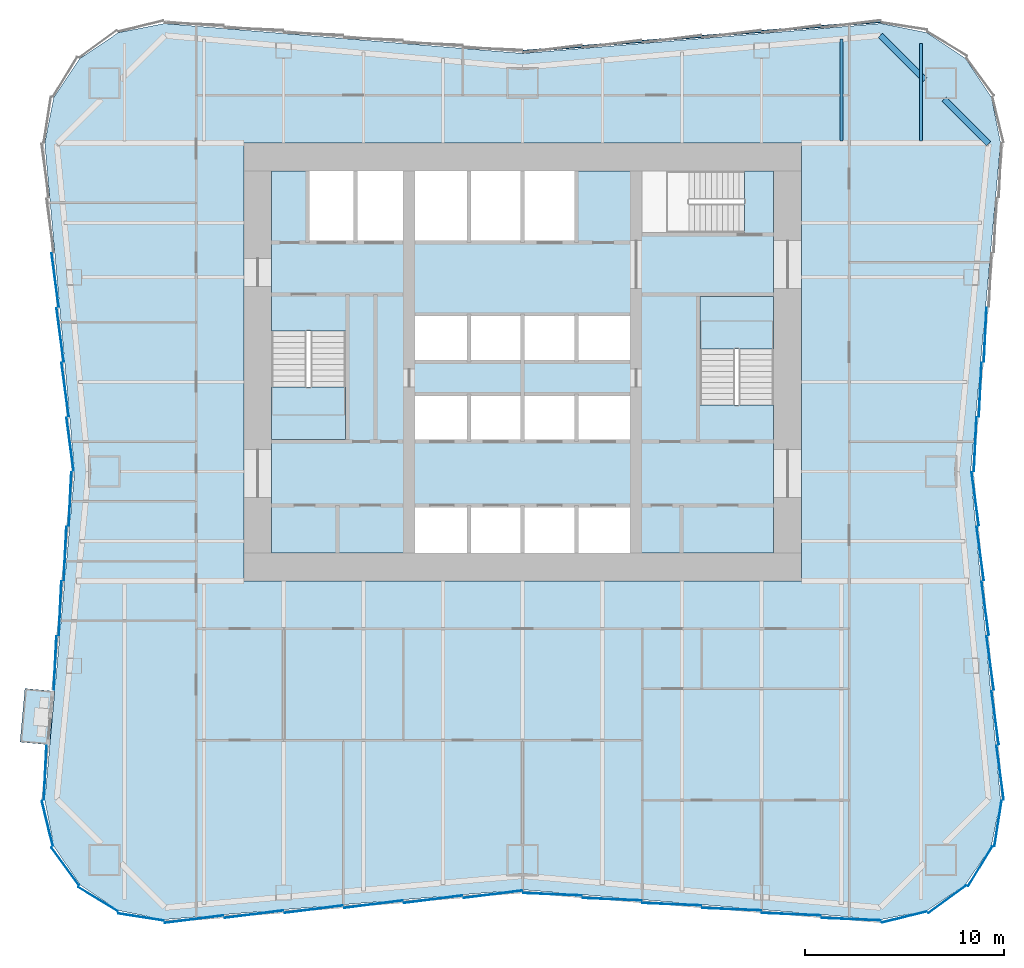
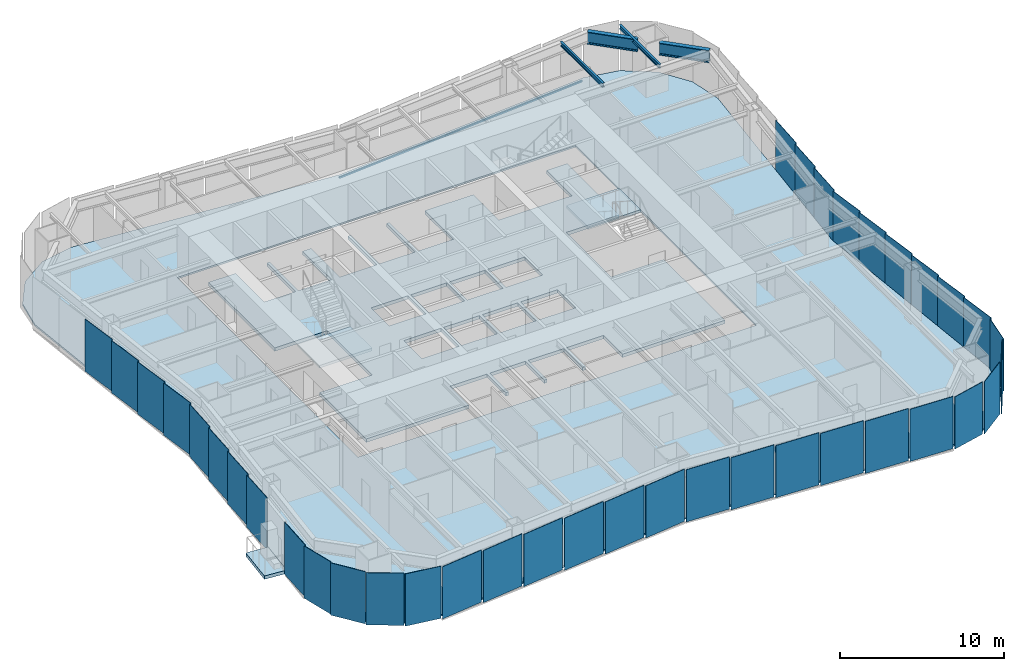
# One storey, part 2 of 8: 38 plates, 5 slabs, 4 beams, 1 member, 8 elements without a shape of their own.
"""IFC4 building model written with IfcOpenShell, lengths in metres."""

from ifc_helpers import new_model, si_unit, direction, frame, origin, origin_2d, place, context, subcontext, project, spatial, polyline, rectangle, i_section, outline, extrude, material, layer, layer_set, material_profile, profile_set, type_object, element, aggregate, save


model = new_model("IFC4")

# Units and contexts
model_context = context("Model", 3, precision=1e-05, world=origin(), true_north=direction((0.0, 1.0)))
body_context = subcontext(model_context, "Body", "Model", "MODEL_VIEW")
ifc_project = project(units=[si_unit("LENGTHUNIT", "METRE"), si_unit("AREAUNIT", "SQUARE_METRE"), si_unit("VOLUMEUNIT", "CUBIC_METRE"), si_unit("PLANEANGLEUNIT", "RADIAN"), si_unit("MASSUNIT", "GRAM", prefix="KILO")], contexts=[model_context])

# Site, building, storey
site_placement = place(None, origin())
site = spatial("IfcSite", under=ifc_project, at=site_placement, CompositionType="ELEMENT")
building_placement = place(site_placement, origin())
building = spatial("IfcBuilding", under=site, at=building_placement, Name="Verdant Reach Tower", CompositionType="ELEMENT")
storey_placement = place(building_placement, frame((0.0, 0.0, 22.0)))
storey = spatial("IfcBuildingStorey", under=building, at=storey_placement, Name="L04", CompositionType="ELEMENT", Elevation=22.0)

# Curtain wall, member
ifc_material_1 = material(Name="Anodised aluminium", Category="aluminium")
curtain_wall_type = type_object("IfcCurtainWallType", Name="EN-CW SYSTEM Z0", PredefinedType="NOTDEFINED", material=ifc_material_1)
curtain_wall_1_placement = place(storey_placement, origin())
curtain_wall_1 = element("IfcCurtainWall", 1, at=curtain_wall_1_placement, inside=storey, type_object=curtain_wall_type, Name="Curtain wall north, L04", PredefinedType="NOTDEFINED")
ifc_material_profile_1 = material_profile(ifc_material_1, rectangle(XDim=0.10009765625, YDim=0.1201171875, at=origin_2d()), Name="Transom 120x100")
ifc_profile_set_1 = profile_set([ifc_material_profile_1], Name="Anodised aluminium")
member_type = type_object("IfcMemberType", Name="EN-TRANSOM Z0", PredefinedType="USERDEFINED", material=ifc_profile_set_1)
member_placement = place(storey_placement, frame((17.975830078125, 45.097412109375, -0.2900390625), z_axis=(-0.996548656072, -0.083010698588, 0.0), x_axis=(0.083010698588, -0.996548656072, 0.0)))
member = element("IfcMember", 2, at=member_placement, type_object=member_type, Name="Transom north face part 1 1.1, L04", ObjectType="TRANSOM", PredefinedType="USERDEFINED", context=body_context, shape_type="SweptSolid", body=[
    extrude(rectangle(XDim=0.10009765625, YDim=0.1201171875, at=origin_2d()), origin(), (0.0, 0.0, 1.0), 18.00830078125),
])
aggregate(curtain_wall_1, [member])

# Beams
ifc_material_2 = material(Name="Steel S355", Category="steel")
ifc_material_profile_2 = material_profile(ifc_material_2, i_section(OverallWidth=0.14990234375, OverallDepth=0.300048828125, WebThickness=0.007080078125, FlangeThickness=0.0107421875, FilletRadius=0.014892578125, at=origin_2d()), Name="IPE 300")
ifc_profile_set_2 = profile_set([ifc_material_profile_2], Name="Steel S355")
beam_type_1 = type_object("IfcBeamType", Name="ST-JOIST-IPE300", PredefinedType="JOIST", material=ifc_profile_set_2)
beam_1_placement = place(storey_placement, frame((16.0, 39.10009765625, 3.719970703125), z_axis=(0.0, 1.0, 0.0), x_axis=(-1.0, 0.0, 0.0)))
element("IfcBeam", 3, at=beam_1_placement, inside=storey, type_object=beam_type_1, Name="Floor joist, L04", PredefinedType="JOIST", context=body_context, shape_type="SweptSolid", body=[
    extrude(i_section(OverallWidth=0.14990234375, OverallDepth=0.300048828125, WebThickness=0.007080078125, FlangeThickness=0.0107421875, FilletRadius=0.014892578125, at=origin_2d()), origin(), (0.0, 0.0, 1.0), 5.131103515625),
])
beam_2_placement = place(storey_placement, frame((20.0, 39.10009765625, 3.719970703125), z_axis=(0.0, 1.0, 0.0), x_axis=(-1.0, 0.0, 0.0)))
element("IfcBeam", 4, at=beam_2_placement, inside=storey, type_object=beam_type_1, Name="Floor joist, L04", PredefinedType="JOIST", context=body_context, shape_type="SweptSolid", body=[
    extrude(i_section(OverallWidth=0.14990234375, OverallDepth=0.300048828125, WebThickness=0.007080078125, FlangeThickness=0.0107421875, FilletRadius=0.014892578125, at=origin_2d()), origin(), (0.0, 0.0, 1.0), 4.890380859375),
])
ifc_material_profile_3 = material_profile(ifc_material_2, i_section(OverallWidth=0.302001953125, OverallDepth=0.909912109375, WebThickness=0.02099609375, FlangeThickness=0.0400390625, FilletRadius=0.030029296875, at=origin_2d()), Name="HEM 900")
ifc_profile_set_3 = profile_set([ifc_material_profile_3], Name="Steel S355")
beam_type_2 = type_object("IfcBeamType", Name="ST-SPANDREL-HEM900", PredefinedType="SPANDREL", material=ifc_profile_set_3)
beam_3_placement = place(storey_placement, frame((17.9658203125, 44.39501953125, 3.4150390625), z_axis=(0.707222697162, -0.706990846206, 0.0), x_axis=(0.706990846206, 0.707222697162, 0.0)))
element("IfcBeam", 5, at=beam_3_placement, inside=storey, type_object=beam_type_2, Name="Edge beam, L04", PredefinedType="SPANDREL", context=body_context, shape_type="SweptSolid", body=[
    extrude(i_section(OverallWidth=0.302001953125, OverallDepth=0.909912109375, WebThickness=0.02099609375, FlangeThickness=0.0400390625, FilletRadius=0.030029296875, at=origin_2d()), origin(), (0.0, 0.0, 1.0), 3.158935546875),
])
beam_4_placement = place(storey_placement, frame((21.161865234375, 41.199951171875, 3.4150390625), z_axis=(0.70722277322, -0.706990770123, 0.0), x_axis=(0.706990770123, 0.70722277322, 0.0)))
element("IfcBeam", 6, at=beam_4_placement, inside=storey, type_object=beam_type_2, Name="Edge beam, L04", PredefinedType="SPANDREL", context=body_context, shape_type="SweptSolid", body=[
    extrude(i_section(OverallWidth=0.302001953125, OverallDepth=0.909912109375, WebThickness=0.02099609375, FlangeThickness=0.0400390625, FilletRadius=0.030029296875, at=origin_2d()), origin(), (0.0, 0.0, 1.0), 3.156982421875),
])

# Stair, slab
ifc_material_3 = material(Name="Concrete C40/50", Category="concrete")
stair_type = type_object("IfcStairType", Name="CO-STAIR", PredefinedType="HALF_TURN_STAIR", material=ifc_material_3)
stair_1_placement = place(storey_placement, origin())
stair_1 = element("IfcStair", 7, at=stair_1_placement, inside=storey, type_object=stair_type, Name="L04 Exit stair 1", PredefinedType="HALF_TURN_STAIR")
ifc_layer_1 = layer(ifc_material_3, 0.199951171875)
ifc_layer_set_1 = layer_set([ifc_layer_1], Name="CO-STAIR-LANDING")
slab_type_1 = type_object("IfcSlabType", Name="CO-STAIR-LANDING", PredefinedType="LANDING", material=ifc_layer_set_1)
slab_1_placement = place(storey_placement, frame((0.0, 0.0, 1.800048828125)))
slab_1 = element("IfcSlab", 8, at=slab_1_placement, type_object=slab_type_1, Name="ST-1 landing 1", PredefinedType="LANDING", context=body_context, shape_type="SweptSolid", body=[
    extrude(outline(polyline([(-12.60009765625, 26.75), (-12.60009765625, 24.10009765625), (-8.89990234375, 24.10009765625), (-8.89990234375, 26.75), (-12.60009765625, 26.75)])), origin(), (0.0, 0.0, 1.0), 0.199951171875),
])
aggregate(stair_1, [slab_1])

stair_2_placement = place(storey_placement, origin())
stair_2 = element("IfcStair", 9, at=stair_2_placement, inside=storey, type_object=stair_type, Name="L04 Exit stair 2", PredefinedType="HALF_TURN_STAIR")
slab_2_placement = place(storey_placement, frame((0.0, 0.0, 1.800048828125)))
slab_2 = element("IfcSlab", 10, at=slab_2_placement, type_object=slab_type_1, Name="ST-2 landing 1", PredefinedType="LANDING", context=body_context, shape_type="SweptSolid", body=[
    extrude(outline(polyline([(12.60009765625, 28.64990234375), (12.60009765625, 31.300048828125), (8.89990234375, 31.300048828125), (8.89990234375, 28.64990234375), (12.60009765625, 28.64990234375)])), origin(), (0.0, 0.0, 1.0), 0.199951171875),
])
aggregate(stair_2, [slab_2])

# Slab
ifc_material_4 = material(Name="Concrete C35/45", Category="concrete")
ifc_layer_2 = layer(ifc_material_4, 0.25)
ifc_layer_set_2 = layer_set([ifc_layer_2], Name="EN-BALCONY SLAB")
slab_type_2 = type_object("IfcSlabType", Name="EN-BALCONY SLAB", PredefinedType="FLOOR", material=ifc_layer_set_2)
slab_3_placement = place(storey_placement, frame((0.0, 0.0, -0.25)))
element("IfcSlab", 11, at=slab_3_placement, inside=storey, type_object=slab_type_2, Name="Balcony slab 1, L04", PredefinedType="FLOOR", context=body_context, shape_type="SweptSolid", body=[
    extrude(outline(polyline([(-23.502685546875, 11.47021484375), (-23.747314453125, 8.77978515625), (-25.2412109375, 8.915771484375), (-24.99658203125, 11.60595703125), (-23.502685546875, 11.47021484375)])), origin(), (0.0, 0.0, 1.0), 0.25),
])

# Curtain wall, plates
curtain_wall_2_placement = place(storey_placement, origin())
curtain_wall_2 = element("IfcCurtainWall", 12, at=curtain_wall_2_placement, inside=storey, type_object=curtain_wall_type, Name="Curtain wall south-east corner, L04", PredefinedType="NOTDEFINED")
ifc_material_5 = material(Name="Tinted glass with champagne spandrel", Category="glass")
ifc_layer_3 = layer(ifc_material_5, 0.031982421875)
ifc_layer_set_3 = layer_set([ifc_layer_3], Name="EN-PANEL CHAMPAGNE")
plate_type_1 = type_object("IfcPlateType", Name="EN-PANEL CHAMPAGNE", PredefinedType="CURTAIN_PANEL", material=ifc_layer_set_3)
plate_1_placement = place(storey_placement, frame((22.974609375, 2.67626953125, -0.22998046875), z_axis=(0.0, 0.0, 1.0), x_axis=(0.520291583159, 0.853988681713, 0.0)))
plate_1 = element("IfcPlate", 13, at=plate_1_placement, type_object=plate_type_1, Name="Glass panel south-east corner 3.1, L04", PredefinedType="CURTAIN_PANEL", context=body_context, shape_type="SweptSolid", body=[
    extrude(rectangle(XDim=2.32421875, YDim=0.031982421875, at=origin_2d()), origin(), (0.0, 0.0, 1.0), 3.8798828125),
])
plate_2_placement = place(storey_placement, frame((23.86767578125, 4.830078125, -0.22998046875), z_axis=(0.0, 0.0, 1.0), x_axis=(0.154210737778, 0.988037979206, 0.0)))
plate_2 = element("IfcPlate", 14, at=plate_2_placement, type_object=plate_type_1, Name="Glass panel south-east corner 4.1, L04", PredefinedType="CURTAIN_PANEL", context=body_context, shape_type="SweptSolid", body=[
    extrude(rectangle(XDim=2.31884765625, YDim=0.031982421875, at=origin_2d()), origin(), (0.0, 0.0, 1.0), 3.8798828125),
])

curtain_wall_3_placement = place(storey_placement, origin())
curtain_wall_3 = element("IfcCurtainWall", 15, at=curtain_wall_3_placement, inside=storey, type_object=curtain_wall_type, Name="Curtain wall east, L04", PredefinedType="NOTDEFINED")
plate_3_placement = place(storey_placement, frame((23.974609375, 7.376953125, -0.22998046875), z_axis=(0.0, 0.0, 1.0), x_axis=(-0.131792939527, 0.991277267514, 0.0)))
plate_3 = element("IfcPlate", 16, at=plate_3_placement, type_object=plate_type_1, Name="Glass panel east face part 1 1.1, L04", PredefinedType="CURTAIN_PANEL", context=body_context, shape_type="SweptSolid", body=[
    extrude(rectangle(XDim=2.7197265625, YDim=0.031982421875, at=origin_2d()), origin(), (0.0, 0.0, 1.0), 3.8798828125),
])
plate_4_placement = place(storey_placement, frame((23.724609375, 10.134033203125, -0.22998046875), z_axis=(0.0, 0.0, 1.0), x_axis=(-0.132160009881, 0.99122839537, 0.0)))
plate_4 = element("IfcPlate", 17, at=plate_4_placement, type_object=plate_type_1, Name="Glass panel east face part 1 2.1, L04", PredefinedType="CURTAIN_PANEL", context=body_context, shape_type="SweptSolid", body=[
    extrude(rectangle(XDim=2.705322265625, YDim=0.031982421875, at=origin_2d()), origin(), (0.0, 0.0, 1.0), 3.8798828125),
])
plate_5_placement = place(storey_placement, frame((23.474609375, 12.884033203125, -0.22998046875), z_axis=(0.0, 0.0, 1.0), x_axis=(-0.132160009881, 0.99122839537, 0.0)))
plate_5 = element("IfcPlate", 18, at=plate_5_placement, type_object=plate_type_1, Name="Glass panel east face part 1 3.1, L04", PredefinedType="CURTAIN_PANEL", context=body_context, shape_type="SweptSolid", body=[
    extrude(rectangle(XDim=2.705322265625, YDim=0.031982421875, at=origin_2d()), origin(), (0.0, 0.0, 1.0), 3.8798828125),
])
plate_6_placement = place(storey_placement, frame((23.224609375, 29.365966796875, -0.22998046875), z_axis=(0.0, 0.0, 1.0), x_axis=(0.04875265175, 0.998810882473, 0.0)))
plate_6 = element("IfcPlate", 19, at=plate_6_placement, type_object=plate_type_1, Name="Glass panel east face part 2 3.1, L04", PredefinedType="CURTAIN_PANEL", context=body_context, shape_type="SweptSolid", body=[
    extrude(rectangle(XDim=2.705322265625, YDim=0.031982421875, at=origin_2d()), origin(), (0.0, 0.0, 1.0), 3.8798828125),
])

curtain_wall_4_placement = place(storey_placement, origin())
curtain_wall_4 = element("IfcCurtainWall", 20, at=curtain_wall_4_placement, inside=storey, type_object=curtain_wall_type, Name="Curtain wall west, L04", PredefinedType="NOTDEFINED")
plate_7_placement = place(storey_placement, frame((-22.974609375, 26.615966796875, -0.22998046875), z_axis=(0.0, 0.0, 1.0), x_axis=(0.132160009881, -0.99122839537, 0.0)))
plate_7 = element("IfcPlate", 21, at=plate_7_placement, type_object=plate_type_1, Name="Glass panel west face part 1 5.1, L04", PredefinedType="CURTAIN_PANEL", context=body_context, shape_type="SweptSolid", body=[
    extrude(rectangle(XDim=2.705322265625, YDim=0.031982421875, at=origin_2d()), origin(), (0.0, 0.0, 1.0), 3.8798828125),
])
plate_8_placement = place(storey_placement, frame((-22.724853515625, 23.870361328125, -0.22998046875), z_axis=(0.0, 0.0, 1.0), x_axis=(0.132307913434, -0.991208664229, 0.0)))
plate_8 = element("IfcPlate", 22, at=plate_8_placement, type_object=plate_type_1, Name="Glass panel west face part 1 6.1, L04", PredefinedType="CURTAIN_PANEL", context=body_context, shape_type="SweptSolid", body=[
    extrude(rectangle(XDim=2.6962890625, YDim=0.031982421875, at=origin_2d()), origin(), (0.0, 0.0, 1.0), 3.8798828125),
])
plate_9_placement = place(storey_placement, frame((-22.724853515625, 21.129638671875, -0.22998046875), z_axis=(0.0, 0.0, 1.0), x_axis=(-0.048901687644, -0.998803596782, 0.0)))
plate_9 = element("IfcPlate", 23, at=plate_9_placement, type_object=plate_type_1, Name="Glass panel west face part 2 1.1, L04", PredefinedType="CURTAIN_PANEL", context=body_context, shape_type="SweptSolid", body=[
    extrude(rectangle(XDim=2.6962890625, YDim=0.031982421875, at=origin_2d()), origin(), (0.0, 0.0, 1.0), 3.8798828125),
])

curtain_wall_5_placement = place(storey_placement, origin())
curtain_wall_5 = element("IfcCurtainWall", 24, at=curtain_wall_5_placement, inside=storey, type_object=curtain_wall_type, Name="Curtain wall south, L04", PredefinedType="NOTDEFINED")
plate_10_placement = place(storey_placement, frame((-10.49169921875, 0.525390625, -0.22998046875), z_axis=(0.0, 0.0, 1.0), x_axis=(0.992194034542, 0.124703639961, 0.0)))
plate_10 = element("IfcPlate", 25, at=plate_10_placement, type_object=plate_type_1, Name="Glass panel south face part 1 3.1, L04", PredefinedType="CURTAIN_PANEL", context=body_context, shape_type="SweptSolid", body=[
    extrude(rectangle(XDim=2.954345703125, YDim=0.031982421875, at=origin_2d()), origin(), (0.0, 0.0, 1.0), 3.8798828125),
])
plate_11_placement = place(storey_placement, frame((-7.49169921875, 0.775390625, -0.22998046875), z_axis=(0.0, 0.0, 1.0), x_axis=(0.992194034542, 0.124703639961, 0.0)))
plate_11 = element("IfcPlate", 26, at=plate_11_placement, type_object=plate_type_1, Name="Glass panel south face part 1 4.1, L04", PredefinedType="CURTAIN_PANEL", context=body_context, shape_type="SweptSolid", body=[
    extrude(rectangle(XDim=2.954345703125, YDim=0.031982421875, at=origin_2d()), origin(), (0.0, 0.0, 1.0), 3.8798828125),
])
plate_12_placement = place(storey_placement, frame((10.49169921875, 0.525390625, -0.22998046875), z_axis=(0.0, 0.0, 1.0), x_axis=(0.999149202059, -0.041241629766, 0.0)))
plate_12 = element("IfcPlate", 27, at=plate_12_placement, type_object=plate_type_1, Name="Glass panel south face part 2 4.1, L04", PredefinedType="CURTAIN_PANEL", context=body_context, shape_type="SweptSolid", body=[
    extrude(rectangle(XDim=2.954345703125, YDim=0.031982421875, at=origin_2d()), origin(), (0.0, 0.0, 1.0), 3.8798828125),
])
plate_13_placement = place(storey_placement, frame((13.49169921875, 0.275390625, -0.22998046875), z_axis=(0.0, 0.0, 1.0), x_axis=(0.999149202059, -0.041241629766, 0.0)))
plate_13 = element("IfcPlate", 28, at=plate_13_placement, type_object=plate_type_1, Name="Glass panel south face part 2 5.1, L04", PredefinedType="CURTAIN_PANEL", context=body_context, shape_type="SweptSolid", body=[
    extrude(rectangle(XDim=2.954345703125, YDim=0.031982421875, at=origin_2d()), origin(), (0.0, 0.0, 1.0), 3.8798828125),
])
plate_14_placement = place(storey_placement, frame((16.498779296875, 0.025146484375, -0.22998046875), z_axis=(0.0, 0.0, 1.0), x_axis=(0.999162442933, -0.040919587398, 0.0)))
plate_14 = element("IfcPlate", 29, at=plate_14_placement, type_object=plate_type_1, Name="Glass panel south face part 2 6.1, L04", PredefinedType="CURTAIN_PANEL", context=body_context, shape_type="SweptSolid", body=[
    extrude(rectangle(XDim=2.96826171875, YDim=0.031982421875, at=origin_2d()), origin(), (0.0, 0.0, 1.0), 3.8798828125),
])

# Plate
ifc_material_6 = material(Name="Tinted glass with copper spandrel", Category="glass")
ifc_layer_4 = layer(ifc_material_6, 0.031982421875)
ifc_layer_set_4 = layer_set([ifc_layer_4], Name="EN-PANEL COPPER")
plate_type_2 = type_object("IfcPlateType", Name="EN-PANEL COPPER", PredefinedType="CURTAIN_PANEL", material=ifc_layer_set_4)
plate_15_placement = place(storey_placement, frame((23.224609375, 15.634033203125, -0.22998046875), z_axis=(0.0, 0.0, 1.0), x_axis=(-0.132160009881, 0.99122839537, 0.0)))
plate_15 = element("IfcPlate", 30, at=plate_15_placement, type_object=plate_type_2, Name="Glass panel east face part 1 4.1, L04", PredefinedType="CURTAIN_PANEL", context=body_context, shape_type="SweptSolid", body=[
    extrude(rectangle(XDim=2.705322265625, YDim=0.031982421875, at=origin_2d()), origin(), (0.0, 0.0, 1.0), 3.8798828125),
])

plate_16_placement = place(storey_placement, frame((22.974609375, 18.384033203125, -0.22998046875), z_axis=(0.0, 0.0, 1.0), x_axis=(-0.132160009881, 0.99122839537, 0.0)))
plate_16 = element("IfcPlate", 31, at=plate_16_placement, type_object=plate_type_2, Name="Glass panel east face part 1 5.1, L04", PredefinedType="CURTAIN_PANEL", context=body_context, shape_type="SweptSolid", body=[
    extrude(rectangle(XDim=2.705322265625, YDim=0.031982421875, at=origin_2d()), origin(), (0.0, 0.0, 1.0), 3.8798828125),
])

plate_17_placement = place(storey_placement, frame((-22.974609375, 18.384033203125, -0.22998046875), z_axis=(0.0, 0.0, 1.0), x_axis=(-0.04875265175, -0.998810882473, 0.0)))
plate_17 = element("IfcPlate", 32, at=plate_17_placement, type_object=plate_type_2, Name="Glass panel west face part 2 2.1, L04", PredefinedType="CURTAIN_PANEL", context=body_context, shape_type="SweptSolid", body=[
    extrude(rectangle(XDim=2.705322265625, YDim=0.031982421875, at=origin_2d()), origin(), (0.0, 0.0, 1.0), 3.8798828125),
])

plate_18_placement = place(storey_placement, frame((-23.224609375, 15.634033203125, -0.22998046875), z_axis=(0.0, 0.0, 1.0), x_axis=(-0.04875265175, -0.998810882473, 0.0)))
plate_18 = element("IfcPlate", 33, at=plate_18_placement, type_object=plate_type_2, Name="Glass panel west face part 2 3.1, L04", PredefinedType="CURTAIN_PANEL", context=body_context, shape_type="SweptSolid", body=[
    extrude(rectangle(XDim=2.705322265625, YDim=0.031982421875, at=origin_2d()), origin(), (0.0, 0.0, 1.0), 3.8798828125),
])

# Curtain wall, plates
curtain_wall_6_placement = place(storey_placement, origin())
curtain_wall_6 = element("IfcCurtainWall", 34, at=curtain_wall_6_placement, inside=storey, type_object=curtain_wall_type, Name="Curtain wall south-west corner, L04", PredefinedType="NOTDEFINED")
plate_19_placement = place(storey_placement, frame((-23.86767578125, 4.830078125, -0.22998046875), z_axis=(0.0, 0.0, 1.0), x_axis=(0.236346786246, -0.97166876899, 0.0)))
plate_19 = element("IfcPlate", 35, at=plate_19_placement, type_object=plate_type_2, Name="Glass panel south-west corner 1.1, L04", PredefinedType="CURTAIN_PANEL", context=body_context, shape_type="SweptSolid", body=[
    extrude(rectangle(XDim=2.31884765625, YDim=0.031982421875, at=origin_2d()), origin(), (0.0, 0.0, 1.0), 3.8798828125),
])
plate_20_placement = place(storey_placement, frame((-22.974609375, 2.67626953125, -0.22998046875), z_axis=(0.0, 0.0, 1.0), x_axis=(0.589926778461, -0.807456745624, 0.0)))
plate_20 = element("IfcPlate", 36, at=plate_20_placement, type_object=plate_type_2, Name="Glass panel south-west corner 2.1, L04", PredefinedType="CURTAIN_PANEL", context=body_context, shape_type="SweptSolid", body=[
    extrude(rectangle(XDim=2.32421875, YDim=0.031982421875, at=origin_2d()), origin(), (0.0, 0.0, 1.0), 3.8798828125),
])

# Plate
plate_21_placement = place(storey_placement, frame((-4.49169921875, 1.025390625, -0.22998046875), z_axis=(0.0, 0.0, 1.0), x_axis=(0.992194034542, 0.124703639961, 0.0)))
plate_21 = element("IfcPlate", 37, at=plate_21_placement, type_object=plate_type_2, Name="Glass panel south face part 1 5.1, L04", PredefinedType="CURTAIN_PANEL", context=body_context, shape_type="SweptSolid", body=[
    extrude(rectangle(XDim=2.954345703125, YDim=0.031982421875, at=origin_2d()), origin(), (0.0, 0.0, 1.0), 3.8798828125),
])

plate_22_placement = place(storey_placement, frame((-1.495849609375, 1.275146484375, -0.22998046875), z_axis=(0.0, 0.0, 1.0), x_axis=(0.992179679439, 0.124817802047, 0.0)))
plate_22 = element("IfcPlate", 38, at=plate_22_placement, type_object=plate_type_2, Name="Glass panel south face part 1 6.1, L04", PredefinedType="CURTAIN_PANEL", context=body_context, shape_type="SweptSolid", body=[
    extrude(rectangle(XDim=2.946044921875, YDim=0.031982421875, at=origin_2d()), origin(), (0.0, 0.0, 1.0), 3.8798828125),
])

plate_23_placement = place(storey_placement, frame((1.495849609375, 1.275146484375, -0.22998046875), z_axis=(0.0, 0.0, 1.0), x_axis=(0.999144450138, -0.041356592674, 0.0)))
plate_23 = element("IfcPlate", 39, at=plate_23_placement, type_object=plate_type_2, Name="Glass panel south face part 2 1.1, L04", PredefinedType="CURTAIN_PANEL", context=body_context, shape_type="SweptSolid", body=[
    extrude(rectangle(XDim=2.946044921875, YDim=0.031982421875, at=origin_2d()), origin(), (0.0, 0.0, 1.0), 3.8798828125),
])

ifc_material_7 = material(Name="Tinted glass with dark bronze spandrel", Category="glass")
ifc_layer_5 = layer(ifc_material_7, 0.031982421875)
ifc_layer_set_5 = layer_set([ifc_layer_5], Name="EN-PANEL DARK")
plate_type_3 = type_object("IfcPlateType", Name="EN-PANEL DARK", PredefinedType="CURTAIN_PANEL", material=ifc_layer_set_5)
plate_24_placement = place(storey_placement, frame((19.169921875, 0.13232421875, -0.22998046875), z_axis=(0.0, 0.0, 1.0), x_axis=(0.97166347331, 0.236368556782, 0.0)))
plate_24 = element("IfcPlate", 40, at=plate_24_placement, type_object=plate_type_3, Name="Glass panel south-east corner 1.1, L04", PredefinedType="CURTAIN_PANEL", context=body_context, shape_type="SweptSolid", body=[
    extrude(rectangle(XDim=2.318603515625, YDim=0.031982421875, at=origin_2d()), origin(), (0.0, 0.0, 1.0), 3.8798828125),
])

plate_25_placement = place(storey_placement, frame((21.32373046875, 1.025390625, -0.22998046875), z_axis=(0.0, 0.0, 1.0), x_axis=(0.807456745624, 0.589926778461, 0.0)))
plate_25 = element("IfcPlate", 41, at=plate_25_placement, type_object=plate_type_3, Name="Glass panel south-east corner 2.1, L04", PredefinedType="CURTAIN_PANEL", context=body_context, shape_type="SweptSolid", body=[
    extrude(rectangle(XDim=2.32421875, YDim=0.031982421875, at=origin_2d()), origin(), (0.0, 0.0, 1.0), 3.8798828125),
])

aggregate(curtain_wall_2, [plate_24, plate_25, plate_1, plate_2])

plate_26_placement = place(storey_placement, frame((22.724853515625, 21.129638671875, -0.22998046875), z_axis=(0.0, 0.0, 1.0), x_axis=(-0.132307913434, 0.991208664229, 0.0)))
plate_26 = element("IfcPlate", 42, at=plate_26_placement, type_object=plate_type_3, Name="Glass panel east face part 1 6.1, L04", PredefinedType="CURTAIN_PANEL", context=body_context, shape_type="SweptSolid", body=[
    extrude(rectangle(XDim=2.6962890625, YDim=0.031982421875, at=origin_2d()), origin(), (0.0, 0.0, 1.0), 3.8798828125),
])

plate_27_placement = place(storey_placement, frame((22.724853515625, 23.870361328125, -0.22998046875), z_axis=(0.0, 0.0, 1.0), x_axis=(0.048901687644, 0.998803596782, 0.0)))
plate_27 = element("IfcPlate", 43, at=plate_27_placement, type_object=plate_type_3, Name="Glass panel east face part 2 1.1, L04", PredefinedType="CURTAIN_PANEL", context=body_context, shape_type="SweptSolid", body=[
    extrude(rectangle(XDim=2.6962890625, YDim=0.031982421875, at=origin_2d()), origin(), (0.0, 0.0, 1.0), 3.8798828125),
])

plate_28_placement = place(storey_placement, frame((22.974609375, 26.615966796875, -0.22998046875), z_axis=(0.0, 0.0, 1.0), x_axis=(0.04875265175, 0.998810882473, 0.0)))
plate_28 = element("IfcPlate", 44, at=plate_28_placement, type_object=plate_type_3, Name="Glass panel east face part 2 2.1, L04", PredefinedType="CURTAIN_PANEL", context=body_context, shape_type="SweptSolid", body=[
    extrude(rectangle(XDim=2.705322265625, YDim=0.031982421875, at=origin_2d()), origin(), (0.0, 0.0, 1.0), 3.8798828125),
])

aggregate(curtain_wall_3, [plate_3, plate_4, plate_5, plate_15, plate_16, plate_26, plate_27, plate_28, plate_6])

plate_29_placement = place(storey_placement, frame((-23.474609375, 32.115966796875, -0.22998046875), z_axis=(0.0, 0.0, 1.0), x_axis=(0.132160009881, -0.99122839537, 0.0)))
plate_29 = element("IfcPlate", 45, at=plate_29_placement, type_object=plate_type_3, Name="Glass panel west face part 1 3.1, L04", PredefinedType="CURTAIN_PANEL", context=body_context, shape_type="SweptSolid", body=[
    extrude(rectangle(XDim=2.705322265625, YDim=0.031982421875, at=origin_2d()), origin(), (0.0, 0.0, 1.0), 3.8798828125),
])

plate_30_placement = place(storey_placement, frame((-23.224609375, 29.365966796875, -0.22998046875), z_axis=(0.0, 0.0, 1.0), x_axis=(0.132160009881, -0.99122839537, 0.0)))
plate_30 = element("IfcPlate", 46, at=plate_30_placement, type_object=plate_type_3, Name="Glass panel west face part 1 4.1, L04", PredefinedType="CURTAIN_PANEL", context=body_context, shape_type="SweptSolid", body=[
    extrude(rectangle(XDim=2.705322265625, YDim=0.031982421875, at=origin_2d()), origin(), (0.0, 0.0, 1.0), 3.8798828125),
])

plate_31_placement = place(storey_placement, frame((-23.474609375, 12.884033203125, -0.22998046875), z_axis=(0.0, 0.0, 1.0), x_axis=(-0.04875265175, -0.998810882473, 0.0)))
plate_31 = element("IfcPlate", 47, at=plate_31_placement, type_object=plate_type_3, Name="Glass panel west face part 2 4.1, L04", PredefinedType="CURTAIN_PANEL", context=body_context, shape_type="SweptSolid", body=[
    extrude(rectangle(XDim=2.705322265625, YDim=0.031982421875, at=origin_2d()), origin(), (0.0, 0.0, 1.0), 3.8798828125),
])

plate_32_placement = place(storey_placement, frame((-23.974609375, 7.376953125, -0.22998046875), z_axis=(0.0, 0.0, 1.0), x_axis=(-0.048382779248, -0.998828867561, 0.0)))
plate_32 = element("IfcPlate", 48, at=plate_32_placement, type_object=plate_type_3, Name="Glass panel west face part 2 6.1, L04", PredefinedType="CURTAIN_PANEL", context=body_context, shape_type="SweptSolid", body=[
    extrude(rectangle(XDim=2.7197265625, YDim=0.031982421875, at=origin_2d()), origin(), (0.0, 0.0, 1.0), 3.8798828125),
])

aggregate(curtain_wall_4, [plate_29, plate_30, plate_7, plate_8, plate_9, plate_17, plate_18, plate_31, plate_32])

plate_33_placement = place(storey_placement, frame((-21.32373046875, 1.025390625, -0.22998046875), z_axis=(0.0, 0.0, 1.0), x_axis=(0.853988681713, -0.520291583159, 0.0)))
plate_33 = element("IfcPlate", 49, at=plate_33_placement, type_object=plate_type_3, Name="Glass panel south-west corner 3.1, L04", PredefinedType="CURTAIN_PANEL", context=body_context, shape_type="SweptSolid", body=[
    extrude(rectangle(XDim=2.32421875, YDim=0.031982421875, at=origin_2d()), origin(), (0.0, 0.0, 1.0), 3.8798828125),
])

plate_34_placement = place(storey_placement, frame((-19.169921875, 0.13232421875, -0.22998046875), z_axis=(0.0, 0.0, 1.0), x_axis=(0.98803452381, -0.154232875093, 0.0)))
plate_34 = element("IfcPlate", 50, at=plate_34_placement, type_object=plate_type_3, Name="Glass panel south-west corner 4.1, L04", PredefinedType="CURTAIN_PANEL", context=body_context, shape_type="SweptSolid", body=[
    extrude(rectangle(XDim=2.318603515625, YDim=0.031982421875, at=origin_2d()), origin(), (0.0, 0.0, 1.0), 3.8798828125),
])

aggregate(curtain_wall_6, [plate_19, plate_20, plate_33, plate_34])

plate_35_placement = place(storey_placement, frame((-16.498779296875, 0.025146484375, -0.22998046875), z_axis=(0.0, 0.0, 1.0), x_axis=(0.992234176789, 0.124383835008, 0.0)))
plate_35 = element("IfcPlate", 51, at=plate_35_placement, type_object=plate_type_3, Name="Glass panel south face part 1 1.1, L04", PredefinedType="CURTAIN_PANEL", context=body_context, shape_type="SweptSolid", body=[
    extrude(rectangle(XDim=2.96826171875, YDim=0.031982421875, at=origin_2d()), origin(), (0.0, 0.0, 1.0), 3.8798828125),
])

plate_36_placement = place(storey_placement, frame((-13.49169921875, 0.275390625, -0.22998046875), z_axis=(0.0, 0.0, 1.0), x_axis=(0.992194034542, 0.124703639961, 0.0)))
plate_36 = element("IfcPlate", 52, at=plate_36_placement, type_object=plate_type_3, Name="Glass panel south face part 1 2.1, L04", PredefinedType="CURTAIN_PANEL", context=body_context, shape_type="SweptSolid", body=[
    extrude(rectangle(XDim=2.954345703125, YDim=0.031982421875, at=origin_2d()), origin(), (0.0, 0.0, 1.0), 3.8798828125),
])

plate_37_placement = place(storey_placement, frame((4.49169921875, 1.025390625, -0.22998046875), z_axis=(0.0, 0.0, 1.0), x_axis=(0.999149202059, -0.041241629766, 0.0)))
plate_37 = element("IfcPlate", 53, at=plate_37_placement, type_object=plate_type_3, Name="Glass panel south face part 2 2.1, L04", PredefinedType="CURTAIN_PANEL", context=body_context, shape_type="SweptSolid", body=[
    extrude(rectangle(XDim=2.954345703125, YDim=0.031982421875, at=origin_2d()), origin(), (0.0, 0.0, 1.0), 3.8798828125),
])

plate_38_placement = place(storey_placement, frame((7.49169921875, 0.775390625, -0.22998046875), z_axis=(0.0, 0.0, 1.0), x_axis=(0.999149202059, -0.041241629766, 0.0)))
plate_38 = element("IfcPlate", 54, at=plate_38_placement, type_object=plate_type_3, Name="Glass panel south face part 2 3.1, L04", PredefinedType="CURTAIN_PANEL", context=body_context, shape_type="SweptSolid", body=[
    extrude(rectangle(XDim=2.954345703125, YDim=0.031982421875, at=origin_2d()), origin(), (0.0, 0.0, 1.0), 3.8798828125),
])

aggregate(curtain_wall_5, [plate_35, plate_36, plate_10, plate_11, plate_21, plate_22, plate_23, plate_37, plate_38, plate_12, plate_13, plate_14])

# Slabs
ifc_material_8 = material(Name="Concrete C35/45", Category="concrete")
ifc_layer_6 = layer(ifc_material_8, 0.1298828125)
ifc_layer_set_6 = layer_set([ifc_layer_6], Name="ST-SLAB-130")
slab_type_3 = type_object("IfcSlabType", Name="ST-SLAB-130", PredefinedType="FLOOR", material=ifc_layer_set_6)
slab_4_placement = place(storey_placement, frame((0.0, 0.0, -0.1298828125)))
element("IfcSlab", 55, at=slab_4_placement, inside=storey, type_object=slab_type_3, Name="Floor slab L04", PredefinedType="FLOOR", context=body_context, shape_type="SweptSolid", body=[
    extrude(outline(polyline([(0.0, 1.5), (-18.0, 0.0), (-20.296142578125, 0.456787109375), (-22.24267578125, 1.75732421875), (-23.543212890625, 3.703857421875), (-24.0, 6.0), (-22.5, 22.5), (-24.0, 39.0), (-23.543212890625, 41.296142578125), (-22.24267578125, 43.24267578125), (-20.296142578125, 44.543212890625), (-18.0, 45.0), (0.0, 43.5), (18.0, 45.0), (20.296142578125, 44.543212890625), (22.24267578125, 43.24267578125), (23.543212890625, 41.296142578125), (24.0, 39.0), (22.5, 22.5), (24.0, 6.0), (23.543212890625, 3.703857421875), (22.24267578125, 1.75732421875), (20.296142578125, 0.456787109375), (18.0, 0.0), (0.0, 1.5)]), holes=[polyline([(14.0, 39.0), (-14.0, 39.0), (-14.0, 17.0), (14.0, 17.0), (14.0, 39.0)])]), origin(), (0.0, 0.0, 1.0), 0.1298828125),
])
ifc_layer_7 = layer(ifc_material_8, 0.25)
ifc_layer_set_7 = layer_set([ifc_layer_7], Name="ST-SLAB-250")
slab_type_4 = type_object("IfcSlabType", Name="ST-SLAB-250", PredefinedType="FLOOR", material=ifc_layer_set_7)
slab_5_placement = place(storey_placement, frame((0.0, 0.0, -0.25)))
element("IfcSlab", 56, at=slab_5_placement, inside=storey, type_object=slab_type_4, Name="Core floor slab L04", PredefinedType="FLOOR", context=body_context, shape_type="SweptSolid", body=[
    extrude(outline(polyline([(12.60009765625, 18.39990234375), (5.39990234375, 18.39990234375), (5.39990234375, 20.699951171875), (2.800048828125, 20.699951171875), (2.800048828125, 18.39990234375), (2.60009765625, 18.39990234375), (2.60009765625, 20.699951171875), (0.10009765625, 20.699951171875), (0.10009765625, 18.39990234375), (-0.10009765625, 18.39990234375), (-0.10009765625, 20.699951171875), (-2.60009765625, 20.699951171875), (-2.60009765625, 18.39990234375), (-2.800048828125, 18.39990234375), (-2.800048828125, 20.699951171875), (-5.39990234375, 20.699951171875), (-5.39990234375, 18.39990234375), (-12.60009765625, 18.39990234375), (-12.60009765625, 24.10009765625), (-8.89990234375, 24.10009765625), (-8.89990234375, 29.548095703125), (-12.60009765625, 29.548095703125), (-12.60009765625, 37.60009765625), (-10.699951171875, 37.60009765625), (-10.699951171875, 34.10009765625), (-8.5, 34.10009765625), (-8.5, 37.60009765625), (-8.300048828125, 37.60009765625), (-8.300048828125, 34.10009765625), (-6.0, 34.10009765625), (-6.0, 37.60009765625), (-5.39990234375, 37.60009765625), (-5.39990234375, 34.10009765625), (-2.800048828125, 34.10009765625), (-2.800048828125, 37.60009765625), (-2.60009765625, 37.60009765625), (-2.60009765625, 34.10009765625), (-0.10009765625, 34.10009765625), (-0.10009765625, 37.60009765625), (0.10009765625, 37.60009765625), (0.10009765625, 34.10009765625), (2.60009765625, 34.10009765625), (2.60009765625, 37.60009765625), (6.0, 37.60009765625), (6.0, 34.5), (11.14794921875, 34.5), (11.14794921875, 37.60009765625), (12.60009765625, 37.60009765625), (12.60009765625, 31.300048828125), (8.89990234375, 31.300048828125), (8.89990234375, 25.85205078125), (12.60009765625, 25.85205078125), (12.60009765625, 18.39990234375)]), holes=[polyline([(-2.800048828125, 24.10009765625), (-2.800048828125, 26.300048828125), (-5.39990234375, 26.300048828125), (-5.39990234375, 24.10009765625), (-2.800048828125, 24.10009765625)]), polyline([(-2.60009765625, 24.10009765625), (-0.10009765625, 24.10009765625), (-0.10009765625, 26.300048828125), (-2.60009765625, 26.300048828125), (-2.60009765625, 24.10009765625)]), polyline([(-2.800048828125, 28.10009765625), (-2.800048828125, 30.300048828125), (-5.39990234375, 30.300048828125), (-5.39990234375, 28.10009765625), (-2.800048828125, 28.10009765625)]), polyline([(-0.10009765625, 28.10009765625), (-0.10009765625, 30.300048828125), (-2.60009765625, 30.300048828125), (-2.60009765625, 28.10009765625), (-0.10009765625, 28.10009765625)]), polyline([(2.60009765625, 24.10009765625), (2.60009765625, 26.300048828125), (0.10009765625, 26.300048828125), (0.10009765625, 24.10009765625), (2.60009765625, 24.10009765625)]), polyline([(2.800048828125, 24.10009765625), (5.39990234375, 24.10009765625), (5.39990234375, 26.300048828125), (2.800048828125, 26.300048828125), (2.800048828125, 24.10009765625)]), polyline([(2.60009765625, 28.10009765625), (2.60009765625, 30.300048828125), (0.10009765625, 30.300048828125), (0.10009765625, 28.10009765625), (2.60009765625, 28.10009765625)]), polyline([(5.39990234375, 28.10009765625), (5.39990234375, 30.300048828125), (2.800048828125, 30.300048828125), (2.800048828125, 28.10009765625), (5.39990234375, 28.10009765625)])]), origin(), (0.0, 0.0, 1.0), 0.25),
])

save(model, "model.ifc")
